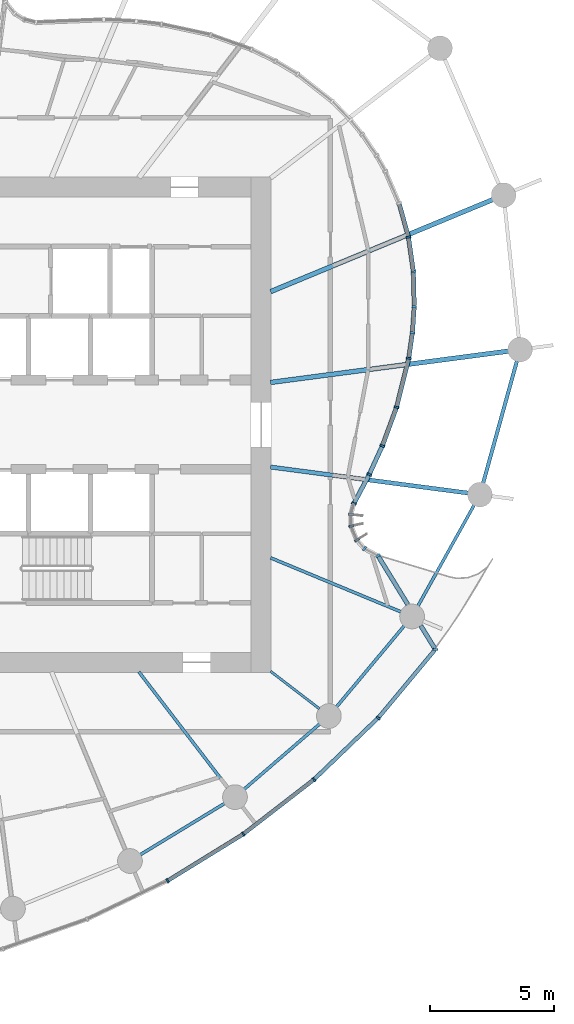
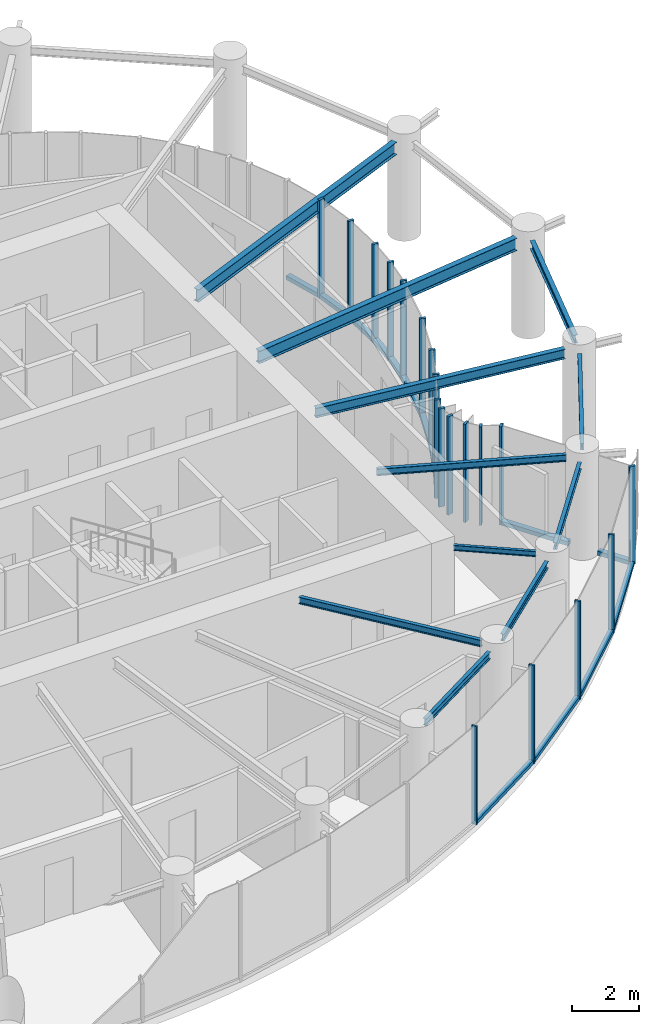
# One storey, part 4 of 19: 34 members, 11 beams, 5 elements without a shape of their own.
"""IFC4 building model written with IfcOpenShell, lengths in metres."""

from ifc_helpers import new_model, si_unit, direction, frame, origin, origin_2d, place, context, subcontext, project, spatial, rectangle, i_section, extrude, source, transform, mapped, material, layer, layer_set, material_profile, profile_set, type_object, element, aggregate, save


model = new_model("IFC4")

# Units and contexts
model_context = context("Model", 3, precision=1e-05, world=origin(), true_north=direction((0.0, 1.0)))
body_context = subcontext(model_context, "Body", "Model", "MODEL_VIEW")
ifc_project = project(units=[si_unit("LENGTHUNIT", "METRE"), si_unit("AREAUNIT", "SQUARE_METRE"), si_unit("VOLUMEUNIT", "CUBIC_METRE"), si_unit("PLANEANGLEUNIT", "RADIAN"), si_unit("MASSUNIT", "GRAM", prefix="KILO")], contexts=[model_context])

# Site, building, storey
site_placement = place(None, origin())
site = spatial("IfcSite", under=ifc_project, at=site_placement, CompositionType="ELEMENT")
building_placement = place(site_placement, origin())
building = spatial("IfcBuilding", under=site, at=building_placement, Name="Spindrift Exchange Tower", CompositionType="ELEMENT")
storey_placement = place(building_placement, frame((0.0, 0.0, 137.0)))
storey = spatial("IfcBuildingStorey", under=building, at=storey_placement, Name="L32", CompositionType="ELEMENT", Elevation=137.0)

# Beams
ifc_material_1 = material(Name="Steel Grade 300", Category="steel")
ifc_material_profile_1 = material_profile(ifc_material_1, i_section(OverallWidth=0.18994140625, OverallDepth=0.4541015625, WebThickness=0.008544921875, FlangeThickness=0.0126953125, FilletRadius=0.013916015625, at=origin_2d()), Name="460UB67.1")
ifc_profile_set_1 = profile_set([ifc_material_profile_1], Name="Steel Grade 300")
beam_type_1 = type_object("IfcBeamType", Name="Floor Beam 460UB67.1 Steel Grade 300", PredefinedType="BEAM", material=ifc_profile_set_1)
shared_shape_1 = source(origin(), body_context, "Body", "SweptSolid", [
    extrude(i_section(OverallWidth=0.18994140625, OverallDepth=0.4541015625, WebThickness=0.008544921875, FlangeThickness=0.0126953125, FilletRadius=0.013916015625, at=origin_2d()), origin(), (0.0, 0.0, 1.0), 9.688720703125),
])
beam_1_placement = place(storey_placement, frame((64.980224609375, 49.708984375, 3.35302734375), z_axis=(0.991448119245, 0.130501443846, 0.0), x_axis=(-0.130501443846, 0.991448119245, 0.0)))
element("IfcBeam", 1, at=beam_1_placement, inside=storey, type_object=beam_type_1, Name="L32 radial beam R01A", PredefinedType="BEAM", context=body_context, shape_type="MappedRepresentation", body=[
    mapped(shared_shape_1, transform((0.0, 0.0, 0.0), scale=1.0)),
])
shared_shape_2 = source(origin(), body_context, "Body", "SweptSolid", [
    extrude(i_section(OverallWidth=0.18994140625, OverallDepth=0.4541015625, WebThickness=0.008544921875, FlangeThickness=0.0126953125, FilletRadius=0.013916015625, at=origin_2d()), origin(), (0.0, 0.0, 1.0), 9.7109375),
])
beam_2_placement = place(storey_placement, frame((64.9814453125, 53.377197265625, 3.35302734375), z_axis=(0.923884154486, 0.382672273741, 0.0), x_axis=(-0.382672273741, 0.923884154486, 0.0)))
element("IfcBeam", 2, at=beam_2_placement, inside=storey, type_object=beam_type_1, Name="L32 radial beam R02A", PredefinedType="BEAM", context=body_context, shape_type="MappedRepresentation", body=[
    mapped(shared_shape_2, transform((0.0, 0.0, 0.0), scale=1.0)),
])
ifc_material_profile_2 = material_profile(ifc_material_1, i_section(OverallWidth=0.1240234375, OverallDepth=0.248046875, WebThickness=0.0048828125, FlangeThickness=0.008056640625, FilletRadius=0.011962890625, at=origin_2d()), Name="250UB25.7")
ifc_profile_set_2 = profile_set([ifc_material_profile_2], Name="Steel Grade 300")
beam_type_2 = type_object("IfcBeamType", Name="Floor Beam 250UB25.7 Steel Grade 300", PredefinedType="BEAM", material=ifc_profile_set_2)
shared_shape_3 = source(origin(), body_context, "Body", "SweptSolid", [
    extrude(i_section(OverallWidth=0.1240234375, OverallDepth=0.248046875, WebThickness=0.0048828125, FlangeThickness=0.008056640625, FilletRadius=0.011962890625, at=origin_2d()), origin(), (0.0, 0.0, 1.0), 5.898193359375),
])
beam_3_placement = place(storey_placement, frame((59.6611328125, 38.015869140625, 3.4560546875), z_axis=(0.608752144407, -0.79336046453, 0.0), x_axis=(0.79336046453, 0.608752144407, 0.0)))
element("IfcBeam", 3, at=beam_3_placement, inside=storey, type_object=beam_type_2, Name="L32 radial beam R21A", PredefinedType="BEAM", context=body_context, shape_type="MappedRepresentation", body=[
    mapped(shared_shape_3, transform((0.0, 0.0, 0.0), scale=1.0)),
])
ifc_material_profile_3 = material_profile(ifc_material_1, i_section(OverallWidth=0.09912109375, OverallDepth=0.197998046875, WebThickness=0.00439453125, FlangeThickness=0.007080078125, FilletRadius=0.010986328125, at=origin_2d()), Name="200UB18.2")
ifc_profile_set_3 = profile_set([ifc_material_profile_3], Name="Steel Grade 300")
beam_type_3 = type_object("IfcBeamType", Name="Floor Beam 200UB18.2 Steel Grade 300", PredefinedType="BEAM", material=ifc_profile_set_3)
shared_shape_4 = source(origin(), body_context, "Body", "SweptSolid", [
    extrude(i_section(OverallWidth=0.09912109375, OverallDepth=0.197998046875, WebThickness=0.00439453125, FlangeThickness=0.007080078125, FilletRadius=0.010986328125, at=origin_2d()), origin(), (0.0, 0.0, 1.0), 2.48486328125),
])
beam_4_placement = place(storey_placement, frame((64.984130859375, 38.036865234375, 3.48095703125), z_axis=(0.793361189889, -0.608751199077, 0.0), x_axis=(0.608751199077, 0.793361189889, 0.0)))
element("IfcBeam", 4, at=beam_4_placement, inside=storey, type_object=beam_type_3, Name="L32 radial beam R22A", PredefinedType="BEAM", context=body_context, shape_type="MappedRepresentation", body=[
    mapped(shared_shape_4, transform((0.0, 0.0, 0.0), scale=1.0)),
])
shared_shape_5 = source(origin(), body_context, "Body", "SweptSolid", [
    extrude(i_section(OverallWidth=0.1240234375, OverallDepth=0.248046875, WebThickness=0.0048828125, FlangeThickness=0.008056640625, FilletRadius=0.011962890625, at=origin_2d()), origin(), (0.0, 0.0, 1.0), 5.708984375),
])
beam_5_placement = place(storey_placement, frame((64.9814453125, 42.622802734375, 3.4560546875), z_axis=(0.923889659334, -0.382658983138, 0.0), x_axis=(0.382658983138, 0.923889659334, 0.0)))
element("IfcBeam", 5, at=beam_5_placement, inside=storey, type_object=beam_type_2, Name="L32 radial beam R23A", PredefinedType="BEAM", context=body_context, shape_type="MappedRepresentation", body=[
    mapped(shared_shape_5, transform((0.0, 0.0, 0.0), scale=1.0)),
])
ifc_material_profile_4 = material_profile(ifc_material_1, i_section(OverallWidth=0.1708984375, OverallDepth=0.35205078125, WebThickness=0.0068359375, FlangeThickness=0.009765625, FilletRadius=0.013916015625, at=origin_2d()), Name="360UB44.7")
ifc_profile_set_4 = profile_set([ifc_material_profile_4], Name="Steel Grade 300")
beam_type_4 = type_object("IfcBeamType", Name="Floor Beam 360UB44.7 Steel Grade 300", PredefinedType="BEAM", material=ifc_profile_set_4)
shared_shape_6 = source(origin(), body_context, "Body", "SweptSolid", [
    extrude(i_section(OverallWidth=0.1708984375, OverallDepth=0.35205078125, WebThickness=0.0068359375, FlangeThickness=0.009765625, FilletRadius=0.013916015625, at=origin_2d()), origin(), (0.0, 0.0, 1.0), 8.0537109375),
])
beam_6_placement = place(storey_placement, frame((64.980224609375, 46.291015625, 3.404052734375), z_axis=(0.991448103694, -0.130501561989, 0.0), x_axis=(0.130501561989, 0.991448103694, 0.0)))
element("IfcBeam", 6, at=beam_6_placement, inside=storey, type_object=beam_type_4, Name="L32 radial beam R24A", PredefinedType="BEAM", context=body_context, shape_type="MappedRepresentation", body=[
    mapped(shared_shape_6, transform((0.0, 0.0, 0.0), scale=1.0)),
])
ifc_material_profile_5 = material_profile(ifc_material_1, i_section(OverallWidth=0.1240234375, OverallDepth=0.248046875, WebThickness=0.0048828125, FlangeThickness=0.008056640625, FilletRadius=0.011962890625, at=origin_2d()), Name="250UB25.7")
ifc_profile_set_5 = profile_set([ifc_material_profile_5], Name="Steel Grade 300")
beam_type_5 = type_object("IfcBeamType", Name="Edge Beam 250UB25.7 Steel Grade 300", PredefinedType="SPANDREL", material=ifc_profile_set_5)
shared_shape_7 = source(origin(), body_context, "Body", "SweptSolid", [
    extrude(i_section(OverallWidth=0.1240234375, OverallDepth=0.248046875, WebThickness=0.0048828125, FlangeThickness=0.008056640625, FilletRadius=0.011962890625, at=origin_2d()), origin(), (0.0, 0.0, 1.0), 4.00634765625),
])
beam_7_placement = place(storey_placement, frame((59.7109375, 30.623779296875, 3.4560546875), z_axis=(0.854331495603, 0.519728482596, 0.0), x_axis=(-0.519728482596, 0.854331495603, 0.0)))
element("IfcBeam", 7, at=beam_7_placement, inside=storey, type_object=beam_type_5, Name="L32 edge beam E20", PredefinedType="SPANDREL", context=body_context, shape_type="MappedRepresentation", body=[
    mapped(shared_shape_7, transform((0.0, 0.0, 0.0), scale=1.0)),
])
shared_shape_8 = source(origin(), body_context, "Body", "SweptSolid", [
    extrude(i_section(OverallWidth=0.1240234375, OverallDepth=0.248046875, WebThickness=0.0048828125, FlangeThickness=0.008056640625, FilletRadius=0.011962890625, at=origin_2d()), origin(), (0.0, 0.0, 1.0), 4.052001953125),
])
beam_8_placement = place(storey_placement, frame((63.906982421875, 33.269287109375, 3.4560546875), z_axis=(0.756715968535, 0.65374379, 0.0), x_axis=(-0.65374379, 0.756715968535, 0.0)))
element("IfcBeam", 8, at=beam_8_placement, inside=storey, type_object=beam_type_5, Name="L32 edge beam E21", PredefinedType="SPANDREL", context=body_context, shape_type="MappedRepresentation", body=[
    mapped(shared_shape_8, transform((0.0, 0.0, 0.0), scale=1.0)),
])
shared_shape_9 = source(origin(), body_context, "Body", "SweptSolid", [
    extrude(i_section(OverallWidth=0.1240234375, OverallDepth=0.248046875, WebThickness=0.0048828125, FlangeThickness=0.008056640625, FilletRadius=0.011962890625, at=origin_2d()), origin(), (0.0, 0.0, 1.0), 4.282958984375),
])
beam_9_placement = place(storey_placement, frame((67.644287109375, 36.600341796875, 3.4560546875), z_axis=(0.641400288548, 0.767206406289, 0.0), x_axis=(-0.767206406289, 0.641400288548, 0.0)))
element("IfcBeam", 9, at=beam_9_placement, inside=storey, type_object=beam_type_5, Name="L32 edge beam E22", PredefinedType="SPANDREL", context=body_context, shape_type="MappedRepresentation", body=[
    mapped(shared_shape_9, transform((0.0, 0.0, 0.0), scale=1.0)),
])
shared_shape_10 = source(origin(), body_context, "Body", "SweptSolid", [
    extrude(i_section(OverallWidth=0.1240234375, OverallDepth=0.248046875, WebThickness=0.0048828125, FlangeThickness=0.008056640625, FilletRadius=0.011962890625, at=origin_2d()), origin(), (0.0, 0.0, 1.0), 4.6748046875),
])
beam_10_placement = place(storey_placement, frame((70.932861328125, 40.673828125, 3.4560546875), z_axis=(0.486587145143, 0.873632045075, 0.0), x_axis=(-0.873632045075, 0.486587145143, 0.0)))
element("IfcBeam", 10, at=beam_10_placement, inside=storey, type_object=beam_type_5, Name="L32 edge beam E23", PredefinedType="SPANDREL", context=body_context, shape_type="MappedRepresentation", body=[
    mapped(shared_shape_10, transform((0.0, 0.0, 0.0), scale=1.0)),
])
ifc_material_profile_6 = material_profile(ifc_material_1, i_section(OverallWidth=0.14892578125, OverallDepth=0.298095703125, WebThickness=0.005615234375, FlangeThickness=0.008056640625, FilletRadius=0.012939453125, at=origin_2d()), Name="310UB32.0")
ifc_profile_set_6 = profile_set([ifc_material_profile_6], Name="Steel Grade 300")
beam_type_6 = type_object("IfcBeamType", Name="Edge Beam 310UB32.0 Steel Grade 300", PredefinedType="SPANDREL", material=ifc_profile_set_6)
shared_shape_11 = source(origin(), body_context, "Body", "SweptSolid", [
    extrude(i_section(OverallWidth=0.14892578125, OverallDepth=0.298095703125, WebThickness=0.005615234375, FlangeThickness=0.008056640625, FilletRadius=0.012939453125, at=origin_2d()), origin(), (0.0, 0.0, 1.0), 5.118896484375),
])
beam_11_placement = place(storey_placement, frame((73.569091796875, 45.639892578125, 3.430908203125), z_axis=(0.266654866605, 0.963792084485, 0.0), x_axis=(-0.963792084485, 0.266654866605, 0.0)))
element("IfcBeam", 11, at=beam_11_placement, inside=storey, type_object=beam_type_6, Name="L32 edge beam E24", PredefinedType="SPANDREL", context=body_context, shape_type="MappedRepresentation", body=[
    mapped(shared_shape_11, transform((0.0, 0.0, 0.0), scale=1.0)),
])

# Curtain wall, member
ifc_material_2 = material(Name="Fritted laminated glass with bronze frame", Category="glass")
ifc_layer_1 = layer(ifc_material_2, 0.179931640625)
ifc_layer_set_1 = layer_set([ifc_layer_1], Name="ZONE 3 BRONZE FRITTED WALL")
curtain_wall_type_1 = type_object("IfcCurtainWallType", Name="ZONE 3 BRONZE FRITTED WALL", PredefinedType="NOTDEFINED", material=ifc_layer_set_1)
curtain_wall_1_placement = place(storey_placement, origin())
curtain_wall_1 = element("IfcCurtainWall", 12, at=curtain_wall_1_placement, inside=storey, type_object=curtain_wall_type_1, Name="L32 Zone 3 Bronze Fritted Wall run 5", PredefinedType="NOTDEFINED")
ifc_material_3 = material(Name="Bronze anodised aluminium", Category="aluminium")
ifc_material_profile_7 = material_profile(ifc_material_3, rectangle(XDim=0.159912109375, YDim=0.1298828125, at=origin_2d()), Name="ZONE 3 BRONZE FRITTED WALL TRANSOM 160X130")
ifc_profile_set_7 = profile_set([ifc_material_profile_7], Name="Bronze anodised aluminium")
member_type_1 = type_object("IfcMemberType", Name="ZONE 3 BRONZE FRITTED WALL TRANSOM 160X130", PredefinedType="USERDEFINED", material=ifc_profile_set_7)
shared_shape_12 = source(origin(), body_context, "Body", "SweptSolid", [
    extrude(rectangle(XDim=0.159912109375, YDim=0.1298828125, at=origin_2d()), origin(), (0.0, 0.0, 1.0), 3.53076171875),
])
member_1_placement = place(storey_placement, frame((66.758544921875, 33.689208984375, 0.06494140625), z_axis=(0.721749247472, 0.69215462418, 0.0), x_axis=(-0.69215462418, 0.721749247472, 0.0)))
member_1 = element("IfcMember", 13, at=member_1_placement, type_object=member_type_1, Name="L32 transom CW-3.26", ObjectType="TRANSOM", PredefinedType="USERDEFINED", context=body_context, shape_type="MappedRepresentation", body=[
    mapped(shared_shape_12, transform((0.0, 0.0, 0.0), scale=1.0)),
])

curtain_wall_2_placement = place(storey_placement, origin())
curtain_wall_2 = element("IfcCurtainWall", 14, at=curtain_wall_2_placement, inside=storey, type_object=curtain_wall_type_1, Name="L32 Zone 3 Bronze Fritted Wall run 4", PredefinedType="NOTDEFINED")
shared_shape_13 = source(origin(), body_context, "Body", "SweptSolid", [
    extrude(rectangle(XDim=0.159912109375, YDim=0.1298828125, at=origin_2d()), origin(), (0.0, 0.0, 1.0), 3.531005859375),
])
member_2_placement = place(storey_placement, frame((60.848388671875, 29.592041015625, 0.06494140625), z_axis=(0.851145126344, 0.524930446727, 0.0), x_axis=(-0.524930446727, 0.851145126344, 0.0)))
member_2 = element("IfcMember", 15, at=member_2_placement, type_object=member_type_1, Name="L32 transom CW-3.24", ObjectType="TRANSOM", PredefinedType="USERDEFINED", context=body_context, shape_type="MappedRepresentation", body=[
    mapped(shared_shape_13, transform((0.0, 0.0, 0.0), scale=1.0)),
])

# Member
member_3_placement = place(storey_placement, frame((63.9111328125, 31.4853515625, 0.06494140625), z_axis=(0.79140663384, 0.611290062011, 0.0), x_axis=(-0.611290062011, 0.79140663384, 0.0)))
member_3 = element("IfcMember", 16, at=member_3_placement, type_object=member_type_1, Name="L32 transom CW-3.25", ObjectType="TRANSOM", PredefinedType="USERDEFINED", context=body_context, shape_type="MappedRepresentation", body=[
    mapped(shared_shape_13, transform((0.0, 0.0, 0.0), scale=1.0)),
])

shared_shape_14 = source(origin(), body_context, "Body", "SweptSolid", [
    extrude(rectangle(XDim=0.159912109375, YDim=0.1298828125, at=origin_2d()), origin(), (0.0, 0.0, 1.0), 3.530517578125),
])
member_4_placement = place(storey_placement, frame((69.3544921875, 36.184326171875, 0.06494140625), z_axis=(0.640544820776, 0.767920785353, 0.0), x_axis=(-0.767920785353, 0.640544820776, 0.0)))
member_4 = element("IfcMember", 17, at=member_4_placement, type_object=member_type_1, Name="L32 transom CW-3.27", ObjectType="TRANSOM", PredefinedType="USERDEFINED", context=body_context, shape_type="MappedRepresentation", body=[
    mapped(shared_shape_14, transform((0.0, 0.0, 0.0), scale=1.0)),
])

# Curtain wall, members
ifc_layer_2 = layer(ifc_material_2, 0.199951171875)
ifc_layer_set_2 = layer_set([ifc_layer_2], Name="SKY GARDEN BRONZE GLAZED WALL")
curtain_wall_type_2 = type_object("IfcCurtainWallType", Name="SKY GARDEN BRONZE GLAZED WALL", PredefinedType="NOTDEFINED", material=ifc_layer_set_2)
curtain_wall_3_placement = place(storey_placement, origin())
curtain_wall_3 = element("IfcCurtainWall", 18, at=curtain_wall_3_placement, inside=storey, type_object=curtain_wall_type_2, Name="L32 Sky Garden Bronze Glazed Wall run 7", PredefinedType="NOTDEFINED")
ifc_material_profile_8 = material_profile(ifc_material_3, rectangle(XDim=0.179931640625, YDim=0.14990234375, at=origin_2d()), Name="SKY GARDEN BRONZE GLAZED WALL TRANSOM 180X150")
ifc_profile_set_8 = profile_set([ifc_material_profile_8], Name="Bronze anodised aluminium")
member_type_2 = type_object("IfcMemberType", Name="SKY GARDEN BRONZE GLAZED WALL TRANSOM 180X150", PredefinedType="USERDEFINED", material=ifc_profile_set_8)
shared_shape_15 = source(origin(), body_context, "Body", "SweptSolid", [
    extrude(rectangle(XDim=0.179931640625, YDim=0.14990234375, at=origin_2d()), origin(), (0.0, 0.0, 1.0), 1.240478515625),
])
member_5_placement = place(storey_placement, frame((68.369140625, 44.855224609375, 0.074951171875), z_axis=(0.467643539782, 0.883917145269, 0.0), x_axis=(-0.883917145269, 0.467643539782, 0.0)))
member_5 = element("IfcMember", 19, at=member_5_placement, type_object=member_type_2, Name="L32 transom CW-G.34", ObjectType="TRANSOM", PredefinedType="USERDEFINED", context=body_context, shape_type="MappedRepresentation", body=[
    mapped(shared_shape_15, transform((0.0, 0.0, 0.0), scale=1.0)),
])
shared_shape_16 = source(origin(), body_context, "Body", "SweptSolid", [
    extrude(rectangle(XDim=0.179931640625, YDim=0.14990234375, at=origin_2d()), origin(), (0.0, 0.0, 1.0), 1.186767578125),
])
member_6_placement = place(storey_placement, frame((68.986572265625, 46.02783203125, 0.074951171875), z_axis=(0.416343032562, 0.909207610635, 0.0), x_axis=(-0.909207610635, 0.416343032562, 0.0)))
member_6 = element("IfcMember", 20, at=member_6_placement, type_object=member_type_2, Name="L32 transom CW-G.35", ObjectType="TRANSOM", PredefinedType="USERDEFINED", context=body_context, shape_type="MappedRepresentation", body=[
    mapped(shared_shape_16, transform((0.0, 0.0, 0.0), scale=1.0)),
])
shared_shape_17 = source(origin(), body_context, "Body", "SweptSolid", [
    extrude(rectangle(XDim=0.179931640625, YDim=0.14990234375, at=origin_2d()), origin(), (0.0, 0.0, 1.0), 1.578857421875),
])
member_7_placement = place(storey_placement, frame((69.51318359375, 47.185546875, 0.074951171875), z_axis=(0.344522706344, 0.938777984836, 0.0), x_axis=(-0.938777984836, 0.344522706344, 0.0)))
member_7 = element("IfcMember", 21, at=member_7_placement, type_object=member_type_2, Name="L32 transom CW-G.36", ObjectType="TRANSOM", PredefinedType="USERDEFINED", context=body_context, shape_type="MappedRepresentation", body=[
    mapped(shared_shape_17, transform((0.0, 0.0, 0.0), scale=1.0)),
])
shared_shape_18 = source(origin(), body_context, "Body", "SweptSolid", [
    extrude(rectangle(XDim=0.179931640625, YDim=0.14990234375, at=origin_2d()), origin(), (0.0, 0.0, 1.0), 1.9560546875),
])
member_8_placement = place(storey_placement, frame((70.08203125, 48.748779296875, 0.074951171875), z_axis=(0.241008236704, 0.970523070226, 0.0), x_axis=(-0.970523070226, 0.241008236704, 0.0)))
member_8 = element("IfcMember", 22, at=member_8_placement, type_object=member_type_2, Name="L32 transom CW-G.37", ObjectType="TRANSOM", PredefinedType="USERDEFINED", context=body_context, shape_type="MappedRepresentation", body=[
    mapped(shared_shape_18, transform((0.0, 0.0, 0.0), scale=1.0)),
])
shared_shape_19 = source(origin(), body_context, "Body", "SweptSolid", [
    extrude(rectangle(XDim=0.179931640625, YDim=0.14990234375, at=origin_2d()), origin(), (0.0, 0.0, 1.0), 0.965576171875),
])
member_9_placement = place(storey_placement, frame((70.7158203125, 51.7607421875, 0.074951171875), z_axis=(0.069791382502, 0.997561608588, 0.0), x_axis=(-0.997561608588, 0.069791382502, 0.0)))
member_9 = element("IfcMember", 23, at=member_9_placement, type_object=member_type_2, Name="L32 transom CW-G.39", ObjectType="TRANSOM", PredefinedType="USERDEFINED", context=body_context, shape_type="MappedRepresentation", body=[
    mapped(shared_shape_19, transform((0.0, 0.0, 0.0), scale=1.0)),
])

# Member
ifc_material_profile_9 = material_profile(ifc_material_3, rectangle(XDim=0.070068359375, YDim=0.179931640625, at=origin_2d()), Name="ZONE 3 BRONZE FRITTED WALL MULLION 70X180")
ifc_profile_set_9 = profile_set([ifc_material_profile_9], Name="Bronze anodised aluminium")
member_type_3 = type_object("IfcMemberType", Name="ZONE 3 BRONZE FRITTED WALL MULLION 70X180", PredefinedType="MULLION", material=ifc_profile_set_9)
shared_shape_20 = source(origin(), body_context, "Body", "SweptSolid", [
    extrude(rectangle(XDim=0.070068359375, YDim=0.179931640625, at=origin_2d()), origin(), (0.0, 0.0, 1.0), 3.580078125),
])
member_10_placement = place(storey_placement, frame((60.818603515625, 29.573486328125, 0.0), z_axis=(0.0, 0.0, 1.0), x_axis=(0.877644242883, 0.479312615037, 0.0)))
member_10 = element("IfcMember", 24, at=member_10_placement, type_object=member_type_3, Name="L32 mullion CW-3.24", PredefinedType="MULLION", context=body_context, shape_type="MappedRepresentation", body=[
    mapped(shared_shape_20, transform((0.0, 0.0, 0.0), scale=1.0)),
])

aggregate(curtain_wall_2, [member_10, member_2])

member_11_placement = place(storey_placement, frame((63.883544921875, 31.464111328125, 0.0), z_axis=(0.0, 0.0, 1.0), x_axis=(0.822401636679, 0.568907328119, 0.0)))
member_11 = element("IfcMember", 25, at=member_11_placement, type_object=member_type_3, Name="L32 mullion CW-3.25", PredefinedType="MULLION", context=body_context, shape_type="MappedRepresentation", body=[
    mapped(shared_shape_20, transform((0.0, 0.0, 0.0), scale=1.0)),
])

member_12_placement = place(storey_placement, frame((66.7333984375, 33.6650390625, 0.0), z_axis=(0.0, 0.0, 1.0), x_axis=(0.757661624964, 0.652647578757, 0.0)))
member_12 = element("IfcMember", 26, at=member_12_placement, type_object=member_type_3, Name="L32 mullion CW-3.26", PredefinedType="MULLION", context=body_context, shape_type="MappedRepresentation", body=[
    mapped(shared_shape_20, transform((0.0, 0.0, 0.0), scale=1.0)),
])

member_13_placement = place(storey_placement, frame((69.33203125, 36.157470703125, 0.0), z_axis=(0.0, 0.0, 1.0), x_axis=(0.682175744831, 0.73118824742, 0.0)))
member_13 = element("IfcMember", 27, at=member_13_placement, type_object=member_type_3, Name="L32 mullion CW-3.27", PredefinedType="MULLION", context=body_context, shape_type="MappedRepresentation", body=[
    mapped(shared_shape_20, transform((0.0, 0.0, 0.0), scale=1.0)),
])

aggregate(curtain_wall_1, [member_11, member_3, member_12, member_1, member_13, member_4])

# Curtain wall, members
curtain_wall_4_placement = place(storey_placement, origin())
curtain_wall_4 = element("IfcCurtainWall", 28, at=curtain_wall_4_placement, inside=storey, type_object=curtain_wall_type_2, Name="L32 Sky Garden Bronze Glazed Wall run 6", PredefinedType="NOTDEFINED")
ifc_material_profile_10 = material_profile(ifc_material_3, rectangle(XDim=0.0849609375, YDim=0.199951171875, at=origin_2d()), Name="SKY GARDEN BRONZE GLAZED WALL MULLION 85X200")
ifc_profile_set_10 = profile_set([ifc_material_profile_10], Name="Bronze anodised aluminium")
member_type_4 = type_object("IfcMemberType", Name="SKY GARDEN BRONZE GLAZED WALL MULLION 85X200", PredefinedType="MULLION", material=ifc_profile_set_10)
shared_shape_21 = source(origin(), body_context, "Body", "SweptSolid", [
    extrude(rectangle(XDim=0.0849609375, YDim=0.199951171875, at=origin_2d()), origin(), (0.0, 0.0, 1.0), 3.580078125),
])
member_14_placement = place(storey_placement, frame((71.63818359375, 38.922607421875, 0.0), z_axis=(0.0, 0.0, 1.0), x_axis=(0.072633630951, 0.997358689567, 0.0)))
member_14 = element("IfcMember", 29, at=member_14_placement, type_object=member_type_4, Name="L32 mullion CW-G.28", PredefinedType="MULLION", context=body_context, shape_type="MappedRepresentation", body=[
    mapped(shared_shape_21, transform((0.0, 0.0, 0.0), scale=1.0)),
])
member_15_placement = place(storey_placement, frame((69.318359375, 42.70849609375, 0.0), z_axis=(0.0, 0.0, 1.0), x_axis=(-0.727199867659, 0.686425780749, 0.0)))
member_15 = element("IfcMember", 30, at=member_15_placement, type_object=member_type_4, Name="L32 mullion CW-G.29", PredefinedType="MULLION", context=body_context, shape_type="MappedRepresentation", body=[
    mapped(shared_shape_21, transform((0.0, 0.0, 0.0), scale=1.0)),
])
member_16_placement = place(storey_placement, frame((68.780517578125, 42.99658203125, 0.0), z_axis=(0.0, 0.0, 1.0), x_axis=(-0.786013342252, 0.61820953228, 0.0)))
member_16 = element("IfcMember", 31, at=member_16_placement, type_object=member_type_4, Name="L32 mullion CW-G.30", PredefinedType="MULLION", context=body_context, shape_type="MappedRepresentation", body=[
    mapped(shared_shape_21, transform((0.0, 0.0, 0.0), scale=1.0)),
])
member_17_placement = place(storey_placement, frame((68.469970703125, 43.34375, 0.0), z_axis=(0.0, 0.0, 1.0), x_axis=(-0.527686116692, 0.849439440014, 0.0)))
member_17 = element("IfcMember", 32, at=member_17_placement, type_object=member_type_4, Name="L32 mullion CW-G.31", PredefinedType="MULLION", context=body_context, shape_type="MappedRepresentation", body=[
    mapped(shared_shape_21, transform((0.0, 0.0, 0.0), scale=1.0)),
])
member_18_placement = place(storey_placement, frame((68.24365234375, 43.90771484375, 0.0), z_axis=(0.0, 0.0, 1.0), x_axis=(-0.206260894865, 0.978497032826, 0.0)))
member_18 = element("IfcMember", 33, at=member_18_placement, type_object=member_type_4, Name="L32 mullion CW-G.32", PredefinedType="MULLION", context=body_context, shape_type="MappedRepresentation", body=[
    mapped(shared_shape_21, transform((0.0, 0.0, 0.0), scale=1.0)),
])
member_19_placement = place(storey_placement, frame((68.227783203125, 44.373291015625, 0.0), z_axis=(0.0, 0.0, 1.0), x_axis=(0.116082668472, 0.993239555234, 0.0)))
member_19 = element("IfcMember", 34, at=member_19_placement, type_object=member_type_4, Name="L32 mullion CW-G.33", PredefinedType="MULLION", context=body_context, shape_type="MappedRepresentation", body=[
    mapped(shared_shape_21, transform((0.0, 0.0, 0.0), scale=1.0)),
])

# Member
member_20_placement = place(storey_placement, frame((68.34912109375, 44.817626953125, 0.0), z_axis=(0.0, 0.0, 1.0), x_axis=(0.367683179495, 0.929951116735, 0.0)))
member_20 = element("IfcMember", 35, at=member_20_placement, type_object=member_type_4, Name="L32 mullion CW-G.34", PredefinedType="MULLION", context=body_context, shape_type="MappedRepresentation", body=[
    mapped(shared_shape_21, transform((0.0, 0.0, 0.0), scale=1.0)),
])

member_21_placement = place(storey_placement, frame((68.968994140625, 45.9892578125, 0.0), z_axis=(0.0, 0.0, 1.0), x_axis=(0.442164787615, 0.896933832896, 0.0)))
member_21 = element("IfcMember", 36, at=member_21_placement, type_object=member_type_4, Name="L32 mullion CW-G.35", PredefinedType="MULLION", context=body_context, shape_type="MappedRepresentation", body=[
    mapped(shared_shape_21, transform((0.0, 0.0, 0.0), scale=1.0)),
])

member_22_placement = place(storey_placement, frame((69.49853515625, 47.1455078125, 0.0), z_axis=(0.0, 0.0, 1.0), x_axis=(0.380723659283, 0.92468886403, 0.0)))
member_22 = element("IfcMember", 37, at=member_22_placement, type_object=member_type_4, Name="L32 mullion CW-G.36", PredefinedType="MULLION", context=body_context, shape_type="MappedRepresentation", body=[
    mapped(shared_shape_21, transform((0.0, 0.0, 0.0), scale=1.0)),
])

member_23_placement = place(storey_placement, frame((70.07177734375, 48.70751953125, 0.0), z_axis=(0.0, 0.0, 1.0), x_axis=(0.293237139586, 0.956039737651, 0.0)))
member_23 = element("IfcMember", 38, at=member_23_placement, type_object=member_type_4, Name="L32 mullion CW-G.37", PredefinedType="MULLION", context=body_context, shape_type="MappedRepresentation", body=[
    mapped(shared_shape_21, transform((0.0, 0.0, 0.0), scale=1.0)),
])

member_24_placement = place(storey_placement, frame((70.563720703125, 50.6884765625, 0.0), z_axis=(0.0, 0.0, 1.0), x_axis=(0.192407631545, 0.981315088707, 0.0)))
member_24 = element("IfcMember", 39, at=member_24_placement, type_object=member_type_4, Name="L32 mullion CW-G.38", PredefinedType="MULLION", context=body_context, shape_type="MappedRepresentation", body=[
    mapped(shared_shape_21, transform((0.0, 0.0, 0.0), scale=1.0)),
])

member_25_placement = place(storey_placement, frame((70.712890625, 51.71826171875, 0.0), z_axis=(0.0, 0.0, 1.0), x_axis=(0.10655391491, 0.994306926063, 0.0)))
member_25 = element("IfcMember", 40, at=member_25_placement, type_object=member_type_4, Name="L32 mullion CW-G.39", PredefinedType="MULLION", context=body_context, shape_type="MappedRepresentation", body=[
    mapped(shared_shape_21, transform((0.0, 0.0, 0.0), scale=1.0)),
])

# Curtain wall, members
curtain_wall_5_placement = place(storey_placement, origin())
curtain_wall_5 = element("IfcCurtainWall", 41, at=curtain_wall_5_placement, inside=storey, type_object=curtain_wall_type_2, Name="L32 Sky Garden Bronze Glazed Wall run 8", PredefinedType="NOTDEFINED")
member_26_placement = place(storey_placement, frame((70.7861328125, 52.76611328125, 0.0), z_axis=(0.0, 0.0, 1.0), x_axis=(0.022677432198, 0.999742833967, 0.0)))
member_26 = element("IfcMember", 42, at=member_26_placement, type_object=member_type_4, Name="L32 mullion CW-G.40", PredefinedType="MULLION", context=body_context, shape_type="MappedRepresentation", body=[
    mapped(shared_shape_21, transform((0.0, 0.0, 0.0), scale=1.0)),
])
member_27_placement = place(storey_placement, frame((70.751708984375, 54.1767578125, 0.0), z_axis=(0.0, 0.0, 1.0), x_axis=(-0.082954315173, 0.996553351103, 0.0)))
member_27 = element("IfcMember", 43, at=member_27_placement, type_object=member_type_4, Name="L32 mullion CW-G.41", PredefinedType="MULLION", context=body_context, shape_type="MappedRepresentation", body=[
    mapped(shared_shape_21, transform((0.0, 0.0, 0.0), scale=1.0)),
])
member_28_placement = place(storey_placement, frame((70.551513671875, 55.580810546875, 0.0), z_axis=(0.0, 0.0, 1.0), x_axis=(-0.203960311026, 0.978979157861, 0.0)))
member_28 = element("IfcMember", 44, at=member_28_placement, type_object=member_type_4, Name="L32 mullion CW-G.42", PredefinedType="MULLION", context=body_context, shape_type="MappedRepresentation", body=[
    mapped(shared_shape_21, transform((0.0, 0.0, 0.0), scale=1.0)),
])

# Member
shared_shape_22 = source(origin(), body_context, "Body", "SweptSolid", [
    extrude(rectangle(XDim=0.179931640625, YDim=0.14990234375, at=origin_2d()), origin(), (0.0, 0.0, 1.0), 1.083740234375),
])
member_29_placement = place(storey_placement, frame((71.6162109375, 38.958740234375, 0.074951171875), z_axis=(-0.522588467902, 0.852585065091, 0.0), x_axis=(-0.852585065091, -0.522588467902, 0.0)))
member_29 = element("IfcMember", 45, at=member_29_placement, type_object=member_type_2, Name="L32 transom CW-G.28", ObjectType="TRANSOM", PredefinedType="USERDEFINED", context=body_context, shape_type="MappedRepresentation", body=[
    mapped(shared_shape_22, transform((0.0, 0.0, 0.0), scale=1.0)),
])

shared_shape_23 = source(origin(), body_context, "Body", "SweptSolid", [
    extrude(rectangle(XDim=0.179931640625, YDim=0.14990234375, at=origin_2d()), origin(), (0.0, 0.0, 1.0), 2.271240234375),
])
member_30_placement = place(storey_placement, frame((70.52734375, 40.735595703125, 0.074951171875), z_axis=(-0.522519206779, 0.852627514538, 0.0), x_axis=(-0.852627514538, -0.522519206779, 0.0)))
member_30 = element("IfcMember", 46, at=member_30_placement, type_object=member_type_2, Name="L32 transom CW-G.28b", ObjectType="TRANSOM", PredefinedType="USERDEFINED", context=body_context, shape_type="MappedRepresentation", body=[
    mapped(shared_shape_23, transform((0.0, 0.0, 0.0), scale=1.0)),
])

aggregate(curtain_wall_4, [member_14, member_29, member_30, member_15, member_16, member_17, member_18, member_19])

shared_shape_24 = source(origin(), body_context, "Body", "SweptSolid", [
    extrude(rectangle(XDim=0.179931640625, YDim=0.14990234375, at=origin_2d()), origin(), (0.0, 0.0, 1.0), 0.95556640625),
])
member_31_placement = place(storey_placement, frame((70.56982421875, 50.73046875, 0.074951171875), z_axis=(0.143316657763, 0.989676884446, 0.0), x_axis=(-0.989676884446, 0.143316657763, 0.0)))
member_31 = element("IfcMember", 47, at=member_31_placement, type_object=member_type_2, Name="L32 transom CW-G.38", ObjectType="TRANSOM", PredefinedType="USERDEFINED", context=body_context, shape_type="MappedRepresentation", body=[
    mapped(shared_shape_24, transform((0.0, 0.0, 0.0), scale=1.0)),
])

aggregate(curtain_wall_3, [member_20, member_5, member_21, member_6, member_22, member_7, member_23, member_8, member_24, member_31, member_25, member_9])

shared_shape_25 = source(origin(), body_context, "Body", "SweptSolid", [
    extrude(rectangle(XDim=0.179931640625, YDim=0.14990234375, at=origin_2d()), origin(), (0.0, 0.0, 1.0), 1.326171875),
])
member_32_placement = place(storey_placement, frame((70.78515625, 52.80859375, 0.074951171875), z_axis=(-0.024486210372, 0.999700167801, 0.0), x_axis=(-0.999700167801, -0.024486210372, 0.0)))
member_32 = element("IfcMember", 48, at=member_32_placement, type_object=member_type_2, Name="L32 transom CW-G.40", ObjectType="TRANSOM", PredefinedType="USERDEFINED", context=body_context, shape_type="MappedRepresentation", body=[
    mapped(shared_shape_25, transform((0.0, 0.0, 0.0), scale=1.0)),
])

shared_shape_26 = source(origin(), body_context, "Body", "SweptSolid", [
    extrude(rectangle(XDim=0.179931640625, YDim=0.14990234375, at=origin_2d()), origin(), (0.0, 0.0, 1.0), 1.3330078125),
])
member_33_placement = place(storey_placement, frame((70.74560546875, 54.218994140625, 0.074951171875), z_axis=(-0.141216214213, 0.989978777976, 0.0), x_axis=(-0.989978777976, -0.141216214213, 0.0)))
member_33 = element("IfcMember", 49, at=member_33_placement, type_object=member_type_2, Name="L32 transom CW-G.41", ObjectType="TRANSOM", PredefinedType="USERDEFINED", context=body_context, shape_type="MappedRepresentation", body=[
    mapped(shared_shape_26, transform((0.0, 0.0, 0.0), scale=1.0)),
])

shared_shape_27 = source(origin(), body_context, "Body", "SweptSolid", [
    extrude(rectangle(XDim=0.179931640625, YDim=0.14990234375, at=origin_2d()), origin(), (0.0, 0.0, 1.0), 1.3359375),
])
member_34_placement = place(storey_placement, frame((70.5400390625, 55.62158203125, 0.074951171875), z_axis=(-0.265729877298, 0.964047525961, 0.0), x_axis=(-0.964047525961, -0.265729877298, 0.0)))
member_34 = element("IfcMember", 50, at=member_34_placement, type_object=member_type_2, Name="L32 transom CW-G.42", ObjectType="TRANSOM", PredefinedType="USERDEFINED", context=body_context, shape_type="MappedRepresentation", body=[
    mapped(shared_shape_27, transform((0.0, 0.0, 0.0), scale=1.0)),
])

aggregate(curtain_wall_5, [member_26, member_32, member_27, member_33, member_28, member_34])

save(model, "model.ifc")
